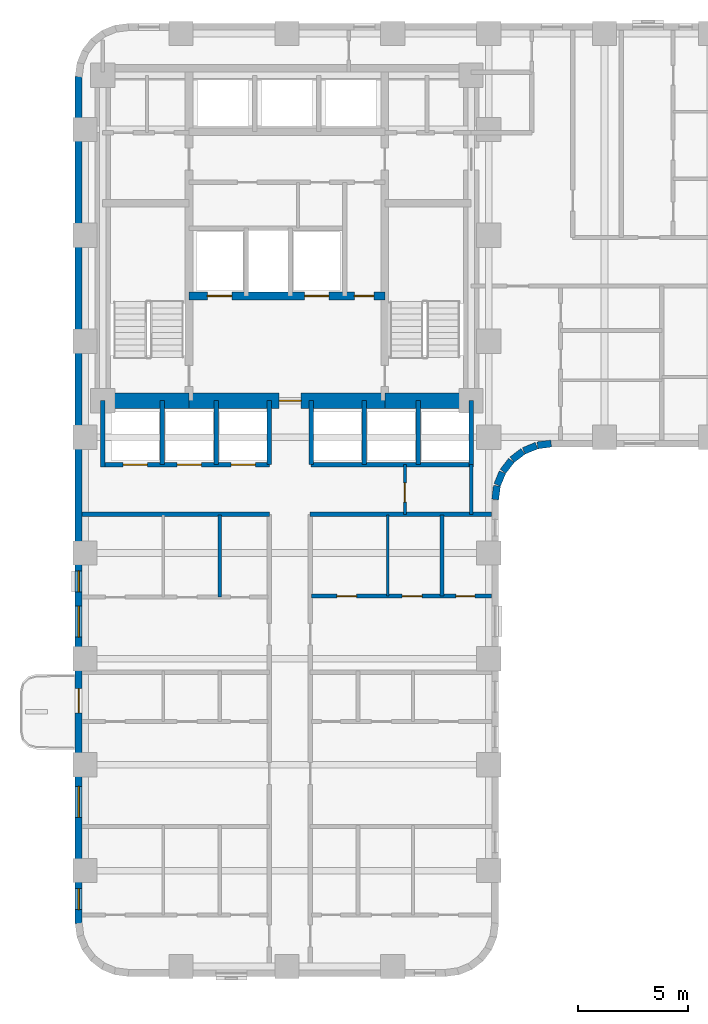
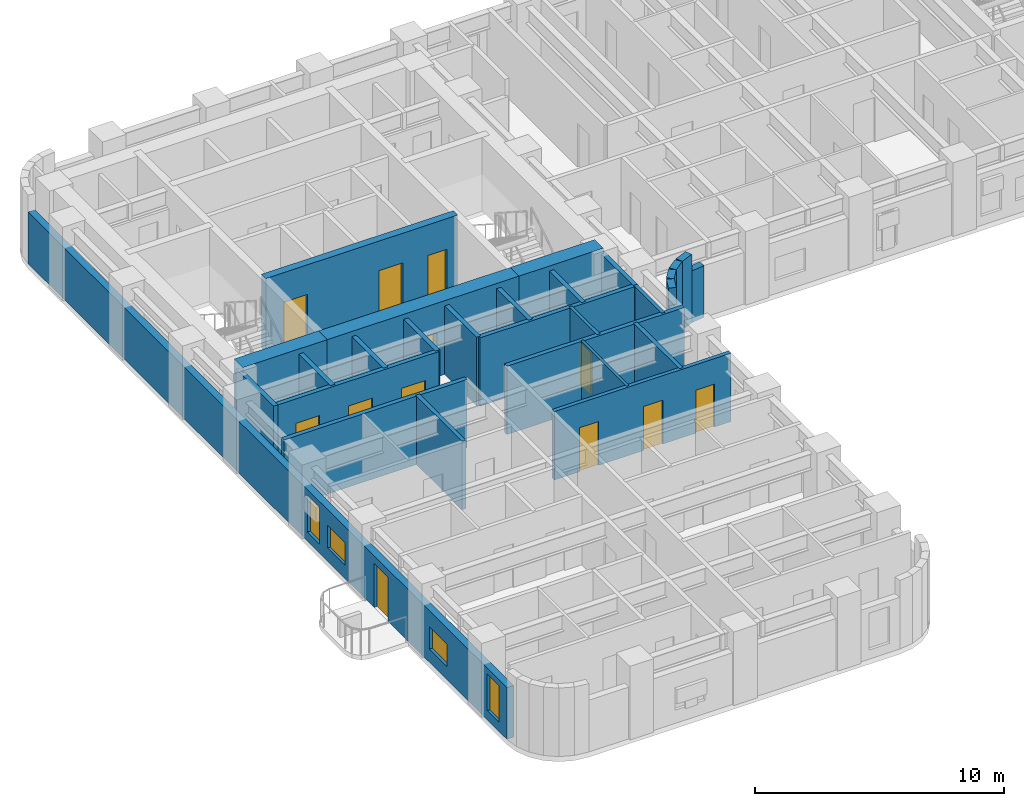
# One storey, part 4 of 10: 29 walls, 12 doors, 4 windows, 16 openings.
"""IFC4 building model written with IfcOpenShell, lengths in metres."""

from ifc_helpers import new_model, si_unit, direction, frame, frame_2d, origin, place, context, subcontext, project, spatial, rectangle, extrude, material, layer, layer_set, type_object, element, fill, save


model = new_model("IFC4")

# Units and contexts
model_context = context("Model", 3, precision=1e-05, world=origin(), true_north=direction((0.0, 1.0)))
body_context = subcontext(model_context, "Body", "Model", "MODEL_VIEW")
ifc_project = project(units=[si_unit("LENGTHUNIT", "METRE"), si_unit("AREAUNIT", "SQUARE_METRE"), si_unit("VOLUMEUNIT", "CUBIC_METRE"), si_unit("PLANEANGLEUNIT", "RADIAN"), si_unit("MASSUNIT", "GRAM", prefix="KILO")], contexts=[model_context])

# Site, building, storey
site_placement = place(None, origin())
site = spatial("IfcSite", under=ifc_project, at=site_placement, CompositionType="ELEMENT")
building_placement = place(site_placement, origin())
building = spatial("IfcBuilding", under=site, at=building_placement, Name="Orvandelia Arch Residences", CompositionType="ELEMENT")
storey_placement = place(building_placement, frame((0.0, 0.0, 32.199951171875)))
storey = spatial("IfcBuildingStorey", under=building, at=storey_placement, Name="L07", CompositionType="ELEMENT", Elevation=32.199951171875)

# Wall, openings, doors
ifc_material_1 = material(Name="Concrete C50/60", Category="concrete")
ifc_layer_1 = layer(ifc_material_1, 0.35009765625, Name="Concrete C50/60", Category="concrete")
ifc_layer_set_1 = layer_set([ifc_layer_1], Name="Concrete C50/60")
wall_type_1 = type_object("IfcWallType", Name="WL-CORE-350", PredefinedType="SHEAR", material=ifc_layer_set_1)
wall_1_placement = place(storey_placement, frame((9.9599609375, 35.64990234375, 0.0), z_axis=(0.0, 0.0, 1.0), x_axis=(1.0, 0.0, 0.0)))
wall_1 = element("IfcWall", 1, at=wall_1_placement, inside=storey, type_object=wall_type_1, Name="Core Shear Wall L07-HZ3", PredefinedType="SHEAR", context=body_context, shape_type="SweptSolid", body=[
    extrude(rectangle(XDim=8.880126953125, YDim=0.35009765625, at=frame_2d((4.43994140625, 0.0))), origin(), (0.0, 0.0, 1.0), 3.60009765625),
])
opening_1_placement = place(wall_1_placement, frame((0.840087890625, 0.0, 0.0)))
opening_1 = element("IfcOpeningElement", 2, at=opening_1_placement, cuts=wall_1, Name="Opening FLD", PredefinedType="OPENING", context=body_context, shape_type="SweptSolid", body=[
    extrude(rectangle(XDim=1.10009765625, YDim=2.14990234375, at=frame_2d((0.550048828125, 1.074951171875))), frame((0.0, 0.18505859375, 0.0), z_axis=(0.0, -1.0, 0.0), x_axis=(1.0, 0.0, 0.0)), (0.0, 0.0, 1.0), 0.3701171875),
])
opening_2_placement = place(wall_1_placement, frame((5.239990234375, 0.0, 0.0)))
opening_2 = element("IfcOpeningElement", 3, at=opening_2_placement, cuts=wall_1, Name="Opening FLD", PredefinedType="OPENING", context=body_context, shape_type="SweptSolid", body=[
    extrude(rectangle(XDim=1.10009765625, YDim=2.14990234375, at=frame_2d((0.550048828125, 1.074951171875))), frame((0.0, 0.18505859375, 0.0), z_axis=(0.0, -1.0, 0.0), x_axis=(1.0, 0.0, 0.0)), (0.0, 0.0, 1.0), 0.3701171875),
])
opening_3_placement = place(wall_1_placement, frame((7.5, 0.0, 0.0)))
opening_3 = element("IfcOpeningElement", 4, at=opening_3_placement, cuts=wall_1, Name="Opening D5", PredefinedType="OPENING", context=body_context, shape_type="SweptSolid", body=[
    extrude(rectangle(XDim=0.8798828125, YDim=2.10009765625, at=frame_2d((0.43994140625, 1.050048828125))), frame((0.0, 0.18505859375, 0.0), z_axis=(0.0, -1.0, 0.0), x_axis=(1.0, 0.0, 0.0)), (0.0, 0.0, 1.0), 0.3701171875),
])
ifc_material_2 = material(Name="Firefighting Lift Stainless Sliding Door")
door_type_1 = type_object("IfcDoorType", Name="DR-FLFT-1100", OperationType="NOTDEFINED", PredefinedType="DOOR", material=ifc_material_2)
door_1_placement = place(opening_1_placement, origin())
door_1 = element("IfcDoor", 5, at=door_1_placement, inside=storey, type_object=door_type_1, Name="Firefighting Lift Landing Door FLD-FL1-L07", OperationType="SLIDING_TO_LEFT", OverallHeight=2.14990234375, OverallWidth=1.10009765625, PredefinedType="DOOR", context=body_context, shape_type="SweptSolid", body=[
    extrude(rectangle(XDim=1.10009765625, YDim=2.14990234375, at=frame_2d((0.550048828125, 1.074951171875))), frame((0.0, 0.02490234375, 0.0), z_axis=(0.0, -1.0, 0.0), x_axis=(1.0, 0.0, 0.0)), (0.0, 0.0, 1.0), 0.050048828125),
])
fill(opening_1, door_1)
door_2_placement = place(opening_2_placement, origin())
door_2 = element("IfcDoor", 6, at=door_2_placement, inside=storey, type_object=door_type_1, Name="Firefighting Lift Landing Door FLD-FL2-L07", OperationType="SLIDING_TO_RIGHT", OverallHeight=2.14990234375, OverallWidth=1.10009765625, PredefinedType="DOOR", context=body_context, shape_type="SweptSolid", body=[
    extrude(rectangle(XDim=1.10009765625, YDim=2.14990234375, at=frame_2d((0.550048828125, 1.074951171875))), frame((0.0, 0.02490234375, 0.0), z_axis=(0.0, -1.0, 0.0), x_axis=(1.0, 0.0, 0.0)), (0.0, 0.0, 1.0), 0.050048828125),
])
fill(opening_2, door_2)
ifc_material_3 = material(Name="Painted Galvanised Steel Service Door", Category="steel")
door_type_2 = type_object("IfcDoorType", Name="DR-SRV-880", OperationType="NOTDEFINED", PredefinedType="DOOR", material=ifc_material_3)
door_3_placement = place(opening_3_placement, origin())
door_3 = element("IfcDoor", 7, at=door_3_placement, inside=storey, type_object=door_type_2, Name="Core Stairway Passage South Fire Door L07", OperationType="SINGLE_SWING_LEFT", OverallHeight=2.10009765625, OverallWidth=0.8798828125, PredefinedType="DOOR", context=body_context, shape_type="SweptSolid", body=[
    extrude(rectangle(XDim=0.8798828125, YDim=2.10009765625, at=frame_2d((0.43994140625, 1.050048828125))), frame((0.0, 0.02490234375, 0.0), z_axis=(0.0, -1.0, 0.0), x_axis=(1.0, 0.0, 0.0)), (0.0, 0.0, 1.0), 0.050048828125),
])
fill(opening_3, door_3)

# Wall
ifc_material_4 = material(Name="Concrete C80/95", Category="concrete")
ifc_layer_2 = layer(ifc_material_4, 0.699951171875, Name="Concrete C80/95", Category="concrete")
ifc_layer_set_2 = layer_set([ifc_layer_2], Name="Concrete C80/95")
wall_type_2 = type_object("IfcWallType", Name="WL-CORE-700", PredefinedType="SHEAR", material=ifc_layer_set_2)
wall_2_placement = place(storey_placement, frame((6.050048828125, 30.89990234375, 0.0), z_axis=(0.0, 0.0, 1.0), x_axis=(1.0, 0.0, 0.0)))
element("IfcWall", 8, at=wall_2_placement, inside=storey, type_object=wall_type_2, Name="Core Shear Wall L07-SW", PredefinedType="SHEAR", context=body_context, shape_type="SweptSolid", body=[
    extrude(rectangle(XDim=3.909912109375, YDim=0.699951171875, at=frame_2d((1.955078125, 0.0))), origin(), (0.0, 0.0, 1.0), 3.60009765625),
])

# Wall, opening, door
wall_3_placement = place(storey_placement, frame((9.9599609375, 30.89990234375, 0.0), z_axis=(0.0, 0.0, 1.0), x_axis=(1.0, 0.0, 0.0)))
wall_3 = element("IfcWall", 9, at=wall_3_placement, inside=storey, type_object=wall_type_2, Name="Core Shear Wall L07-SM", PredefinedType="SHEAR", context=body_context, shape_type="SweptSolid", body=[
    extrude(rectangle(XDim=8.880126953125, YDim=0.699951171875, at=frame_2d((4.43994140625, 0.0))), origin(), (0.0, 0.0, 1.0), 3.60009765625),
])
opening_4_placement = place(wall_3_placement, frame((4.090087890625, 0.0, 0.0)))
opening_4 = element("IfcOpeningElement", 10, at=opening_4_placement, cuts=wall_3, Name="Opening D6", PredefinedType="OPENING", context=body_context, shape_type="SweptSolid", body=[
    extrude(rectangle(XDim=1.0, YDim=2.14990234375, at=frame_2d((0.5, 1.074951171875))), frame((0.0, 0.35986328125, 0.0), z_axis=(0.0, -1.0, 0.0), x_axis=(1.0, 0.0, 0.0)), (0.0, 0.0, 1.0), 0.719970703125),
])
ifc_material_5 = material(Name="Smokeproof Painted Steel Fire Door", Category="steel")
door_type_3 = type_object("IfcDoorType", Name="DR-FD60-1000", OperationType="NOTDEFINED", PredefinedType="DOOR", material=ifc_material_5)
door_4_placement = place(opening_4_placement, origin())
door_4 = element("IfcDoor", 11, at=door_4_placement, inside=storey, type_object=door_type_3, Name="Firefighting Lobby Smokeproof Door L07", OperationType="SINGLE_SWING_LEFT", OverallHeight=2.14990234375, OverallWidth=1.0, PredefinedType="DOOR", context=body_context, shape_type="SweptSolid", body=[
    extrude(rectangle(XDim=1.0, YDim=2.14990234375, at=frame_2d((0.5, 1.074951171875))), frame((0.0, 0.02490234375, 0.0), z_axis=(0.0, -1.0, 0.0), x_axis=(1.0, 0.0, 0.0)), (0.0, 0.0, 1.0), 0.050048828125),
])
fill(opening_4, door_4)

# Walls
wall_4_placement = place(storey_placement, frame((18.840087890625, 30.89990234375, 0.0), z_axis=(0.0, 0.0, 1.0), x_axis=(1.0, 0.0, 0.0)))
element("IfcWall", 12, at=wall_4_placement, inside=storey, type_object=wall_type_2, Name="Core Shear Wall L07-SE", PredefinedType="SHEAR", context=body_context, shape_type="SweptSolid", body=[
    extrude(rectangle(XDim=3.909912109375, YDim=0.699951171875, at=frame_2d((1.955078125, 0.0))), origin(), (0.0, 0.0, 1.0), 3.60009765625),
])
ifc_material_6 = material(Name="Fire-Rated Corridor Partition")
ifc_layer_3 = layer(ifc_material_6, 0.199951171875, Name="Fire-Rated Corridor Partition")
ifc_layer_set_3 = layer_set([ifc_layer_3], Name="Fire-Rated Corridor Partition")
wall_type_3 = type_object("IfcWallType", Name="WL-CORR-200", PredefinedType="PARTITIONING", material=ifc_layer_set_3)
wall_5_placement = place(storey_placement, frame((5.1201171875, 25.75, 0.0), z_axis=(0.0, 0.0, 1.0), x_axis=(1.0, 0.0, 0.0)))
element("IfcWall", 13, at=wall_5_placement, inside=storey, type_object=wall_type_3, Name="Interior Partition Wall WL-L07-WCLS-W", PredefinedType="PARTITIONING", context=body_context, shape_type="SweptSolid", body=[
    extrude(rectangle(XDim=8.47998046875, YDim=0.199951171875, at=frame_2d((4.239990234375, 0.0))), origin(), (0.0, 0.0, 1.0), 3.35009765625),
])
wall_6_placement = place(storey_placement, frame((15.449951171875, 25.75, 0.0), z_axis=(0.0, 0.0, 1.0), x_axis=(1.0, 0.0, 0.0)))
element("IfcWall", 14, at=wall_6_placement, inside=storey, type_object=wall_type_3, Name="Interior Partition Wall WL-L07-WCLS-E", PredefinedType="PARTITIONING", context=body_context, shape_type="SweptSolid", body=[
    extrude(rectangle(XDim=8.22998046875, YDim=0.199951171875, at=frame_2d((4.114990234375, 0.0))), origin(), (0.0, 0.0, 1.0), 3.35009765625),
])
ifc_material_7 = material(Name="Precast concrete C40/50", Category="concrete")
ifc_layer_4 = layer(ifc_material_7, 0.320068359375, Name="Precast concrete C40/50", Category="concrete")
ifc_layer_set_4 = layer_set([ifc_layer_4], Name="Precast concrete C40/50")
wall_type_4 = type_object("IfcWallType", Name="WL-EXT-STONE-320", PredefinedType="STANDARD", material=ifc_layer_set_4)
wall_7_placement = place(storey_placement, frame((26.379150390625, 28.95849609375, 0.0), z_axis=(0.0, 0.0, 1.0), x_axis=(-0.991447664465, -0.130504898859, 0.0)))
element("IfcWall", 15, at=wall_7_placement, inside=storey, type_object=wall_type_4, Name="Coral-Limestone Precast Facade Wall L07-022", PredefinedType="STANDARD", context=body_context, shape_type="SweptSolid", body=[
    extrude(rectangle(XDim=0.626708984375, YDim=0.320068359375, at=frame_2d((0.3134765625, 0.0))), origin(), (0.0, 0.0, 1.0), 2.530029296875),
])
wall_8_placement = place(storey_placement, frame((25.717529296875, 28.865966796875, 0.0), z_axis=(0.0, 0.0, 1.0), x_axis=(-0.923836271867, -0.382787856107, 0.0)))
element("IfcWall", 16, at=wall_8_placement, inside=storey, type_object=wall_type_4, Name="Coral-Limestone Precast Facade Wall L07-023", PredefinedType="STANDARD", context=body_context, shape_type="SweptSolid", body=[
    extrude(rectangle(XDim=0.626220703125, YDim=0.320068359375, at=frame_2d((0.31298828125, 0.0))), origin(), (0.0, 0.0, 1.0), 3.35009765625),
])
for number, where, z_axis, x_axis, name in (
    (17, (25.1025390625, 28.60546875, 0.0), (0.0, 0.0, 1.0), (-0.793405610854, -0.608693302629, 0.0), "Coral-Limestone Precast Facade Wall L07-024"),
    (18, (24.575927734375, 28.194580078125, 0.0), (0.0, 0.0, 1.0), (-0.608693302629, -0.793405610854, 0.0), "Coral-Limestone Precast Facade Wall L07-025"),
):
    element("IfcWall", number, at=place(storey_placement, frame(where, z_axis=z_axis, x_axis=x_axis)), inside=storey, type_object=wall_type_4, Name=name, PredefinedType="STANDARD", context=body_context, shape_type="SweptSolid", body=[
        extrude(rectangle(XDim=0.62646484375, YDim=0.320068359375, at=frame_2d((0.313232421875, 0.0))), origin(), (0.0, 0.0, 1.0), 3.35009765625),
    ])
wall_9_placement = place(storey_placement, frame((24.173583984375, 27.6611328125, 0.0), z_axis=(0.0, 0.0, 1.0), x_axis=(-0.382455093999, -0.923974080304, 0.0)))
element("IfcWall", 19, at=wall_9_placement, inside=storey, type_object=wall_type_4, Name="Coral-Limestone Precast Facade Wall L07-026", PredefinedType="STANDARD", context=body_context, shape_type="SweptSolid", body=[
    extrude(rectangle(XDim=0.626220703125, YDim=0.320068359375, at=frame_2d((0.31298828125, 0.0))), origin(), (0.0, 0.0, 1.0), 3.35009765625),
])
wall_10_placement = place(storey_placement, frame((23.923095703125, 27.0419921875, 0.0), z_axis=(0.0, 0.0, 1.0), x_axis=(-0.130555323746, -0.9914410257, 0.0)))
element("IfcWall", 20, at=wall_10_placement, inside=storey, type_object=wall_type_4, Name="Coral-Limestone Precast Facade Wall L07-027", PredefinedType="STANDARD", context=body_context, shape_type="SweptSolid", body=[
    extrude(rectangle(XDim=0.62646484375, YDim=0.320068359375, at=frame_2d((0.313232421875, 0.0))), origin(), (0.0, 0.0, 1.0), 2.530029296875),
])

# Wall, openings, door, windows
wall_11_placement = place(storey_placement, frame((4.9599609375, 7.199951171875, 0.0), z_axis=(0.0, 0.0, 1.0), x_axis=(0.0, 1.0, 0.0)))
wall_11 = element("IfcWall", 21, at=wall_11_placement, inside=storey, type_object=wall_type_4, Name="Coral-Limestone Precast Facade Wall L07-042", PredefinedType="STANDARD", context=body_context, shape_type="SweptSolid", body=[
    extrude(rectangle(XDim=38.400146484375, YDim=0.320068359375, at=frame_2d((19.2001953125, 0.0))), origin(), (0.0, 0.0, 1.0), 2.530029296875),
])
opening_5_placement = place(wall_11_placement, frame((9.550048828125, 0.0, 0.0)))
opening_5 = element("IfcOpeningElement", 22, at=opening_5_placement, cuts=wall_11, Name="Opening BD1", PredefinedType="OPENING", context=body_context, shape_type="SweptSolid", body=[
    extrude(rectangle(XDim=1.10009765625, YDim=2.14990234375, at=frame_2d((0.550048828125, 1.074951171875))), frame((0.0, 0.169921875, 0.0), z_axis=(0.0, -1.0, 0.0), x_axis=(1.0, 0.0, 0.0)), (0.0, 0.0, 1.0), 0.340087890625),
])
opening_6_placement = place(wall_11_placement, frame((0.635009765625, 0.0, 0.449951171875)))
opening_6 = element("IfcOpeningElement", 23, at=opening_6_placement, cuts=wall_11, Name="Opening W4", PredefinedType="OPENING", context=body_context, shape_type="SweptSolid", body=[
    extrude(rectangle(XDim=0.949951171875, YDim=1.800048828125, at=frame_2d((0.47509765625, 0.89990234375))), frame((0.0, 0.169921875, 0.0), z_axis=(0.0, -1.0, 0.0), x_axis=(1.0, 0.0, 0.0)), (0.0, 0.0, 1.0), 0.340087890625),
])
opening_7_placement = place(wall_11_placement, frame((15.0400390625, 0.0, 0.449951171875)))
opening_7 = element("IfcOpeningElement", 24, at=opening_7_placement, cuts=wall_11, Name="Opening W4", PredefinedType="OPENING", context=body_context, shape_type="SweptSolid", body=[
    extrude(rectangle(XDim=0.949951171875, YDim=1.800048828125, at=frame_2d((0.47509765625, 0.89990234375))), frame((0.0, 0.169921875, 0.0), z_axis=(0.0, -1.0, 0.0), x_axis=(1.0, 0.0, 0.0)), (0.0, 0.0, 1.0), 0.340087890625),
])
opening_8_placement = place(wall_11_placement, frame((4.81494140625, 0.0, 0.64990234375)))
opening_8 = element("IfcOpeningElement", 25, at=opening_8_placement, cuts=wall_11, Name="Opening W10", PredefinedType="OPENING", context=body_context, shape_type="SweptSolid", body=[
    extrude(rectangle(XDim=1.39990234375, YDim=1.10009765625, at=frame_2d((0.699951171875, 0.550048828125))), frame((0.0, 0.169921875, 0.0), z_axis=(0.0, -1.0, 0.0), x_axis=(1.0, 0.0, 0.0)), (0.0, 0.0, 1.0), 0.340087890625),
])
opening_9_placement = place(wall_11_placement, frame((12.985107421875, 0.0, 0.64990234375)))
opening_9 = element("IfcOpeningElement", 26, at=opening_9_placement, cuts=wall_11, Name="Opening W10", PredefinedType="OPENING", context=body_context, shape_type="SweptSolid", body=[
    extrude(rectangle(XDim=1.39990234375, YDim=1.10009765625, at=frame_2d((0.699951171875, 0.550048828125))), frame((0.0, 0.169921875, 0.0), z_axis=(0.0, -1.0, 0.0), x_axis=(1.0, 0.0, 0.0)), (0.0, 0.0, 1.0), 0.340087890625),
])
ifc_material_8 = material(Name="Thermally Broken Aluminium Glazed Door", Category="aluminium")
door_type_4 = type_object("IfcDoorType", Name="DR-BAL-GLAZ-1100", OperationType="NOTDEFINED", PredefinedType="DOOR", material=ifc_material_8)
door_5_placement = place(opening_5_placement, origin())
door_5 = element("IfcDoor", 27, at=door_5_placement, inside=storey, type_object=door_type_4, Name="Tree Balcony Glazed Door BAL-L07-W1", OperationType="SINGLE_SWING_RIGHT", OverallHeight=2.14990234375, OverallWidth=1.10009765625, PredefinedType="DOOR", context=body_context, shape_type="SweptSolid", body=[
    extrude(rectangle(XDim=1.10009765625, YDim=2.14990234375, at=frame_2d((0.550048828125, 1.074951171875))), frame((0.0, 0.02490234375, 0.0), z_axis=(0.0, -1.0, 0.0), x_axis=(1.0, 0.0, 0.0)), (0.0, 0.0, 1.0), 0.050048828125),
])
fill(opening_5, door_5)
ifc_material_9 = material(Name="Tempered Low-E Insulated Glazing", Category="glass")
window_type_1 = type_object("IfcWindowType", Name="WIN-CLR-1400x1100", PartitioningType="SINGLE_PANEL", PredefinedType="WINDOW", material=ifc_material_9)
window_1_placement = place(opening_8_placement, origin())
window_1 = element("IfcWindow", 28, at=window_1_placement, inside=storey, type_object=window_type_1, Name="Recessed Punched Window L07-031", OverallHeight=1.10009765625, OverallWidth=1.39990234375, PartitioningType="SINGLE_PANEL", PredefinedType="WINDOW", context=body_context, shape_type="SweptSolid", body=[
    extrude(rectangle(XDim=1.39990234375, YDim=1.10009765625, at=frame_2d((0.699951171875, 0.550048828125))), frame((0.0, 0.030029296875, 0.0), z_axis=(0.0, -1.0, 0.0), x_axis=(1.0, 0.0, 0.0)), (0.0, 0.0, 1.0), 0.06005859375),
])
fill(opening_8, window_1)
window_2_placement = place(opening_9_placement, origin())
window_2 = element("IfcWindow", 29, at=window_2_placement, inside=storey, type_object=window_type_1, Name="Recessed Punched Window L07-032", OverallHeight=1.10009765625, OverallWidth=1.39990234375, PartitioningType="SINGLE_PANEL", PredefinedType="WINDOW", context=body_context, shape_type="SweptSolid", body=[
    extrude(rectangle(XDim=1.39990234375, YDim=1.10009765625, at=frame_2d((0.699951171875, 0.550048828125))), frame((0.0, 0.030029296875, 0.0), z_axis=(0.0, -1.0, 0.0), x_axis=(1.0, 0.0, 0.0)), (0.0, 0.0, 1.0), 0.06005859375),
])
fill(opening_9, window_2)
window_type_2 = type_object("IfcWindowType", Name="WIN-RES-0950x1800", PartitioningType="SINGLE_PANEL", PredefinedType="WINDOW", material=ifc_material_9)
window_3_placement = place(opening_6_placement, origin())
window_3 = element("IfcWindow", 30, at=window_3_placement, inside=storey, type_object=window_type_2, Name="Recessed Punched Window L07-029", OverallHeight=1.800048828125, OverallWidth=0.949951171875, PartitioningType="SINGLE_PANEL", PredefinedType="WINDOW", context=body_context, shape_type="SweptSolid", body=[
    extrude(rectangle(XDim=0.949951171875, YDim=1.800048828125, at=frame_2d((0.47509765625, 0.89990234375))), frame((0.0, 0.030029296875, 0.0), z_axis=(0.0, -1.0, 0.0), x_axis=(1.0, 0.0, 0.0)), (0.0, 0.0, 1.0), 0.06005859375),
])
fill(opening_6, window_3)
window_4_placement = place(opening_7_placement, origin())
window_4 = element("IfcWindow", 31, at=window_4_placement, inside=storey, type_object=window_type_2, Name="Recessed Punched Window L07-030", OverallHeight=1.800048828125, OverallWidth=0.949951171875, PartitioningType="SINGLE_PANEL", PredefinedType="WINDOW", context=body_context, shape_type="SweptSolid", body=[
    extrude(rectangle(XDim=0.949951171875, YDim=1.800048828125, at=frame_2d((0.47509765625, 0.89990234375))), frame((0.0, 0.030029296875, 0.0), z_axis=(0.0, -1.0, 0.0), x_axis=(1.0, 0.0, 0.0)), (0.0, 0.0, 1.0), 0.06005859375),
])
fill(opening_7, window_4)

# Wall
ifc_material_10 = material(Name="Lightweight Gypsum Stud Partition")
ifc_layer_5 = layer(ifc_material_10, 0.1201171875, Name="Lightweight Gypsum Stud Partition")
ifc_layer_set_5 = layer_set([ifc_layer_5], Name="Lightweight Gypsum Stud Partition")
wall_type_5 = type_object("IfcWallType", Name="WL-PART-120", PredefinedType="PARTITIONING", material=ifc_layer_set_5)
wall_12_placement = place(storey_placement, frame((18.967041015625, 22.0400390625, 0.0), z_axis=(0.0, 0.0, 1.0), x_axis=(0.0, 1.0, 0.0)))
element("IfcWall", 32, at=wall_12_placement, inside=storey, type_object=wall_type_5, Name="Interior Partition Wall WL-L07-U06-V1", PredefinedType="PARTITIONING", context=body_context, shape_type="SweptSolid", body=[
    extrude(rectangle(XDim=3.679931640625, YDim=0.1201171875, at=frame_2d((1.83984375, 0.0))), origin(), (0.0, 0.0, 1.0), 3.35009765625),
])

# Wall, opening, door
ifc_material_11 = material(Name="Acoustic Gypsum Stud Partition")
ifc_layer_6 = layer(ifc_material_11, 0.14990234375, Name="Acoustic Gypsum Stud Partition")
ifc_layer_set_6 = layer_set([ifc_layer_6], Name="Acoustic Gypsum Stud Partition")
wall_type_6 = type_object("IfcWallType", Name="WL-PART-150", PredefinedType="PARTITIONING", material=ifc_layer_set_6)
wall_13_placement = place(storey_placement, frame((19.75, 25.75, 0.0), z_axis=(0.0, 0.0, 1.0), x_axis=(0.0, 1.0, 0.0)))
wall_13 = element("IfcWall", 33, at=wall_13_placement, inside=storey, type_object=wall_type_6, Name="Interior Partition Wall WL-L07-HLS-EW3", PredefinedType="PARTITIONING", context=body_context, shape_type="SweptSolid", body=[
    extrude(rectangle(XDim=2.25, YDim=0.14990234375, at=frame_2d((1.125, 0.0))), origin(), (0.0, 0.0, 1.0), 3.35009765625),
])
opening_10_placement = place(wall_13_placement, frame((0.550048828125, 0.0, 0.0)))
opening_10 = element("IfcOpeningElement", 34, at=opening_10_placement, cuts=wall_13, Name="Opening D5", PredefinedType="OPENING", context=body_context, shape_type="SweptSolid", body=[
    extrude(rectangle(XDim=0.8798828125, YDim=2.10009765625, at=frame_2d((0.43994140625, 1.050048828125))), frame((0.0, 0.0849609375, 0.0), z_axis=(0.0, -1.0, 0.0), x_axis=(1.0, 0.0, 0.0)), (0.0, 0.0, 1.0), 0.169921875),
])
door_6_placement = place(opening_10_placement, origin())
door_6 = element("IfcDoor", 35, at=door_6_placement, inside=storey, type_object=door_type_2, Name="DR-L07-CSZ1A", OperationType="SINGLE_SWING_RIGHT", OverallHeight=2.10009765625, OverallWidth=0.8798828125, PredefinedType="DOOR", context=body_context, shape_type="SweptSolid", body=[
    extrude(rectangle(XDim=0.8798828125, YDim=2.10009765625, at=frame_2d((0.43994140625, 1.050048828125))), frame((0.0, 0.02490234375, 0.0), z_axis=(0.0, -1.0, 0.0), x_axis=(1.0, 0.0, 0.0)), (0.0, 0.0, 1.0), 0.050048828125),
])
fill(opening_10, door_6)

# Wall
wall_14_placement = place(storey_placement, frame((22.75, 25.75, 0.0), z_axis=(0.0, 0.0, 1.0), x_axis=(0.0, 1.0, 0.0)))
element("IfcWall", 36, at=wall_14_placement, inside=storey, type_object=wall_type_6, Name="Interior Partition Wall WL-L07-HLS-EE", PredefinedType="PARTITIONING", context=body_context, shape_type="SweptSolid", body=[
    extrude(rectangle(XDim=2.25, YDim=0.14990234375, at=frame_2d((1.125, 0.0))), origin(), (0.0, 0.0, 1.0), 3.35009765625),
])

# Wall, openings, doors
ifc_material_12 = material(Name="Fire-Rated Shaft Enclosure Wall")
ifc_layer_7 = layer(ifc_material_12, 0.199951171875, Name="Fire-Rated Shaft Enclosure Wall")
ifc_layer_set_7 = layer_set([ifc_layer_7], Name="Fire-Rated Shaft Enclosure Wall")
wall_type_7 = type_object("IfcWallType", Name="WL-SHAFT-200", PredefinedType="POLYGONAL", material=ifc_layer_set_7)
wall_15_placement = place(storey_placement, frame((6.050048828125, 28.0, 0.0), z_axis=(0.0, 0.0, 1.0), x_axis=(1.0, 0.0, 0.0)))
wall_15 = element("IfcWall", 37, at=wall_15_placement, inside=storey, type_object=wall_type_7, Name="Interior Partition Wall WL-L07-BNKL-S", PredefinedType="POLYGONAL", context=body_context, shape_type="SweptSolid", body=[
    extrude(rectangle(XDim=7.550048828125, YDim=0.199951171875, at=frame_2d((3.77490234375, 0.0))), origin(), (0.0, 0.0, 1.0), 3.35009765625),
])
opening_11_placement = place(wall_15_placement, frame((0.925048828125, 0.0, 0.0)))
opening_11 = element("IfcOpeningElement", 38, at=opening_11_placement, cuts=wall_15, Name="Opening LD", PredefinedType="OPENING", context=body_context, shape_type="SweptSolid", body=[
    extrude(rectangle(XDim=1.10009765625, YDim=2.14990234375, at=frame_2d((0.550048828125, 1.074951171875))), frame((0.0, 0.10986328125, 0.0), z_axis=(0.0, -1.0, 0.0), x_axis=(1.0, 0.0, 0.0)), (0.0, 0.0, 1.0), 0.219970703125),
])
opening_12_placement = place(wall_15_placement, frame((3.375, 0.0, 0.0)))
opening_12 = element("IfcOpeningElement", 39, at=opening_12_placement, cuts=wall_15, Name="Opening LD", PredefinedType="OPENING", context=body_context, shape_type="SweptSolid", body=[
    extrude(rectangle(XDim=1.10009765625, YDim=2.14990234375, at=frame_2d((0.550048828125, 1.074951171875))), frame((0.0, 0.10986328125, 0.0), z_axis=(0.0, -1.0, 0.0), x_axis=(1.0, 0.0, 0.0)), (0.0, 0.0, 1.0), 0.219970703125),
])
opening_13_placement = place(wall_15_placement, frame((5.824951171875, 0.0, 0.0)))
opening_13 = element("IfcOpeningElement", 40, at=opening_13_placement, cuts=wall_15, Name="Opening LD", PredefinedType="OPENING", context=body_context, shape_type="SweptSolid", body=[
    extrude(rectangle(XDim=1.10009765625, YDim=2.14990234375, at=frame_2d((0.550048828125, 1.074951171875))), frame((0.0, 0.10986328125, 0.0), z_axis=(0.0, -1.0, 0.0), x_axis=(1.0, 0.0, 0.0)), (0.0, 0.0, 1.0), 0.219970703125),
])
ifc_material_13 = material(Name="Brushed Stainless Steel Sliding Lift Door", Category="steel")
door_type_5 = type_object("IfcDoorType", Name="DR-LIFT-1100", OperationType="NOTDEFINED", PredefinedType="DOOR", material=ifc_material_13)
door_7_placement = place(opening_11_placement, origin())
door_7 = element("IfcDoor", 41, at=door_7_placement, inside=storey, type_object=door_type_5, Name="Lift Landing Door LD-PL1", OperationType="SLIDING_TO_LEFT", OverallHeight=2.14990234375, OverallWidth=1.10009765625, PredefinedType="DOOR", context=body_context, shape_type="SweptSolid", body=[
    extrude(rectangle(XDim=1.10009765625, YDim=2.14990234375, at=frame_2d((0.550048828125, 1.074951171875))), frame((0.0, 0.02490234375, 0.0), z_axis=(0.0, -1.0, 0.0), x_axis=(1.0, 0.0, 0.0)), (0.0, 0.0, 1.0), 0.050048828125),
])
fill(opening_11, door_7)
door_8_placement = place(opening_12_placement, origin())
door_8 = element("IfcDoor", 42, at=door_8_placement, inside=storey, type_object=door_type_5, Name="Lift Landing Door LD-PL2", OperationType="SLIDING_TO_RIGHT", OverallHeight=2.14990234375, OverallWidth=1.10009765625, PredefinedType="DOOR", context=body_context, shape_type="SweptSolid", body=[
    extrude(rectangle(XDim=1.10009765625, YDim=2.14990234375, at=frame_2d((0.550048828125, 1.074951171875))), frame((0.0, 0.02490234375, 0.0), z_axis=(0.0, -1.0, 0.0), x_axis=(1.0, 0.0, 0.0)), (0.0, 0.0, 1.0), 0.050048828125),
])
fill(opening_12, door_8)
door_9_placement = place(opening_13_placement, origin())
door_9 = element("IfcDoor", 43, at=door_9_placement, inside=storey, type_object=door_type_5, Name="Lift Landing Door LD-PL3", OperationType="SLIDING_TO_LEFT", OverallHeight=2.14990234375, OverallWidth=1.10009765625, PredefinedType="DOOR", context=body_context, shape_type="SweptSolid", body=[
    extrude(rectangle(XDim=1.10009765625, YDim=2.14990234375, at=frame_2d((0.550048828125, 1.074951171875))), frame((0.0, 0.02490234375, 0.0), z_axis=(0.0, -1.0, 0.0), x_axis=(1.0, 0.0, 0.0)), (0.0, 0.0, 1.0), 0.050048828125),
])
fill(opening_13, door_9)

# Walls
wall_16_placement = place(storey_placement, frame((15.5, 28.0, 0.0), z_axis=(0.0, 0.0, 1.0), x_axis=(1.0, 0.0, 0.0)))
element("IfcWall", 44, at=wall_16_placement, inside=storey, type_object=wall_type_7, Name="Interior Partition Wall WL-L07-BNKM-S", PredefinedType="POLYGONAL", context=body_context, shape_type="SweptSolid", body=[
    extrude(rectangle(XDim=7.25, YDim=0.199951171875, at=frame_2d((3.625, 0.0))), origin(), (0.0, 0.0, 1.0), 3.35009765625),
])
for number, where, z_axis, x_axis, name in (
    (45, (6.050048828125, 27.89990234375, 0.0), (0.0, 0.0, 1.0), (0.0, 1.0, 0.0), "Interior Partition Wall WL-L07-BNKL-W"),
    (46, (22.75, 27.89990234375, 0.0), (0.0, 0.0, 1.0), (0.0, 1.0, 0.0), "Interior Partition Wall WL-L07-BNKM-E"),
):
    element("IfcWall", number, at=place(storey_placement, frame(where, z_axis=z_axis, x_axis=x_axis)), inside=storey, type_object=wall_type_7, Name=name, PredefinedType="POLYGONAL", context=body_context, shape_type="SweptSolid", body=[
        extrude(rectangle(XDim=3.0, YDim=0.199951171875, at=frame_2d((1.5, 0.0))), origin(), (0.0, 0.0, 1.0), 3.35009765625),
    ])
for number, where, z_axis, x_axis, name in (
    (47, (13.60009765625, 28.0, 0.0), (0.0, 0.0, 1.0), (0.0, 1.0, 0.0), "Interior Partition Wall WL-L07-BNKL-E"),
    (48, (15.5, 28.0, 0.0), (0.0, 0.0, 1.0), (0.0, 1.0, 0.0), "Interior Partition Wall WL-L07-BNKM-W"),
    (49, (8.75, 28.0, 0.0), (0.0, 0.0, 1.0), (0.0, 1.0, 0.0), "Interior Partition Wall WL-L07-BNKD-875"),
    (50, (11.199951171875, 28.0, 0.0), (0.0, 0.0, 1.0), (0.0, 1.0, 0.0), "Interior Partition Wall WL-L07-BNKD-1120"),
    (51, (17.89990234375, 28.0, 0.0), (0.0, 0.0, 1.0), (0.0, 1.0, 0.0), "Interior Partition Wall WL-L07-BNKD-1789"),
    (52, (20.35009765625, 28.0, 0.0), (0.0, 0.0, 1.0), (0.0, 1.0, 0.0), "Interior Partition Wall WL-L07-BNKD-2035"),
):
    element("IfcWall", number, at=place(storey_placement, frame(where, z_axis=z_axis, x_axis=x_axis)), inside=storey, type_object=wall_type_7, Name=name, PredefinedType="POLYGONAL", context=body_context, shape_type="SweptSolid", body=[
        extrude(rectangle(XDim=2.89990234375, YDim=0.199951171875, at=frame_2d((1.449951171875, 0.0))), origin(), (0.0, 0.0, 1.0), 3.35009765625),
    ])
ifc_material_14 = material(Name="Moisture-Resistant Plumbing Wall")
ifc_layer_8 = layer(ifc_material_14, 0.179931640625, Name="Moisture-Resistant Plumbing Wall")
ifc_layer_set_8 = layer_set([ifc_layer_8], Name="Moisture-Resistant Plumbing Wall")
wall_type_8 = type_object("IfcWallType", Name="WL-WET-180", PredefinedType="PLUMBINGWALL", material=ifc_layer_set_8)
wall_17_placement = place(storey_placement, frame((11.35498046875, 22.0, 0.0), z_axis=(0.0, 0.0, 1.0), x_axis=(0.0, 1.0, 0.0)))
element("IfcWall", 53, at=wall_17_placement, inside=storey, type_object=wall_type_8, Name="Interior Partition Wall WL-L07-U03-V2", PredefinedType="PLUMBINGWALL", context=body_context, shape_type="SweptSolid", body=[
    extrude(rectangle(XDim=3.719970703125, YDim=0.179931640625, at=frame_2d((1.85986328125, 0.0))), origin(), (0.0, 0.0, 1.0), 3.35009765625),
])

# Wall, openings, doors
wall_18_placement = place(storey_placement, frame((15.510009765625, 22.0400390625, 0.0), z_axis=(0.0, 0.0, 1.0), x_axis=(1.0, 0.0, 0.0)))
wall_18 = element("IfcWall", 54, at=wall_18_placement, inside=storey, type_object=wall_type_8, Name="Interior Partition Wall WL-L07-U06-HZ", PredefinedType="PLUMBINGWALL", context=body_context, shape_type="SweptSolid", body=[
    extrude(rectangle(XDim=8.169921875, YDim=0.179931640625, at=frame_2d((4.0849609375, 0.0))), origin(), (0.0, 0.0, 1.0), 3.35009765625),
])
opening_14_placement = place(wall_18_placement, frame((1.153564453125, 0.0, 0.0)))
opening_14 = element("IfcOpeningElement", 55, at=opening_14_placement, cuts=wall_18, Name="Opening D3", PredefinedType="OPENING", context=body_context, shape_type="SweptSolid", body=[
    extrude(rectangle(XDim=0.89990234375, YDim=2.14990234375, at=frame_2d((0.449951171875, 1.074951171875))), frame((0.0, 0.10009765625, 0.0), z_axis=(0.0, -1.0, 0.0), x_axis=(1.0, 0.0, 0.0)), (0.0, 0.0, 1.0), 0.199951171875),
])
opening_15_placement = place(wall_18_placement, frame((4.116455078125, 0.0, 0.0)))
opening_15 = element("IfcOpeningElement", 56, at=opening_15_placement, cuts=wall_18, Name="Opening D3", PredefinedType="OPENING", context=body_context, shape_type="SweptSolid", body=[
    extrude(rectangle(XDim=0.89990234375, YDim=2.14990234375, at=frame_2d((0.449951171875, 1.074951171875))), frame((0.0, 0.10009765625, 0.0), z_axis=(0.0, -1.0, 0.0), x_axis=(1.0, 0.0, 0.0)), (0.0, 0.0, 1.0), 0.199951171875),
])
opening_16_placement = place(wall_18_placement, frame((6.552978515625, 0.0, 0.0)))
opening_16 = element("IfcOpeningElement", 57, at=opening_16_placement, cuts=wall_18, Name="Opening D4", PredefinedType="OPENING", context=body_context, shape_type="SweptSolid", body=[
    extrude(rectangle(XDim=0.860107421875, YDim=2.10009765625, at=frame_2d((0.43017578125, 1.050048828125))), frame((0.0, 0.10009765625, 0.0), z_axis=(0.0, -1.0, 0.0), x_axis=(1.0, 0.0, 0.0)), (0.0, 0.0, 1.0), 0.199951171875),
])
ifc_material_15 = material(Name="Engineered Timber Flush Door", Category="wood")
door_type_6 = type_object("IfcDoorType", Name="DR-INT-900", OperationType="NOTDEFINED", PredefinedType="DOOR", material=ifc_material_15)
door_10_placement = place(opening_14_placement, origin())
door_10 = element("IfcDoor", 58, at=door_10_placement, inside=storey, type_object=door_type_6, Name="DR-L07-U06-STDY", OperationType="SINGLE_SWING_RIGHT", OverallHeight=2.14990234375, OverallWidth=0.89990234375, PredefinedType="DOOR", context=body_context, shape_type="SweptSolid", body=[
    extrude(rectangle(XDim=0.89990234375, YDim=2.14990234375, at=frame_2d((0.449951171875, 1.074951171875))), frame((0.0, 0.02490234375, 0.0), z_axis=(0.0, -1.0, 0.0), x_axis=(1.0, 0.0, 0.0)), (0.0, 0.0, 1.0), 0.050048828125),
])
fill(opening_14, door_10)
door_11_placement = place(opening_15_placement, origin())
door_11 = element("IfcDoor", 59, at=door_11_placement, inside=storey, type_object=door_type_6, Name="DR-L07-U06-KIT", OperationType="SINGLE_SWING_LEFT", OverallHeight=2.14990234375, OverallWidth=0.89990234375, PredefinedType="DOOR", context=body_context, shape_type="SweptSolid", body=[
    extrude(rectangle(XDim=0.89990234375, YDim=2.14990234375, at=frame_2d((0.449951171875, 1.074951171875))), frame((0.0, 0.02490234375, 0.0), z_axis=(0.0, -1.0, 0.0), x_axis=(1.0, 0.0, 0.0)), (0.0, 0.0, 1.0), 0.050048828125),
])
fill(opening_15, door_11)
ifc_material_16 = material(Name="Moisture-Sealed Timber Bathroom Door", Category="wood")
door_type_7 = type_object("IfcDoorType", Name="DR-WET-900", OperationType="NOTDEFINED", PredefinedType="DOOR", material=ifc_material_16)
door_12_placement = place(opening_16_placement, origin())
door_12 = element("IfcDoor", 60, at=door_12_placement, inside=storey, type_object=door_type_7, Name="DR-L07-U06-BTH", OperationType="SINGLE_SWING_RIGHT", OverallHeight=2.10009765625, OverallWidth=0.860107421875, PredefinedType="DOOR", context=body_context, shape_type="SweptSolid", body=[
    extrude(rectangle(XDim=0.860107421875, YDim=2.10009765625, at=frame_2d((0.43017578125, 1.050048828125))), frame((0.0, 0.02490234375, 0.0), z_axis=(0.0, -1.0, 0.0), x_axis=(1.0, 0.0, 0.0)), (0.0, 0.0, 1.0), 0.050048828125),
])
fill(opening_16, door_12)

# Wall
wall_19_placement = place(storey_placement, frame((21.43603515625, 22.0400390625, 0.0), z_axis=(0.0, 0.0, 1.0), x_axis=(0.0, 1.0, 0.0)))
element("IfcWall", 61, at=wall_19_placement, inside=storey, type_object=wall_type_8, Name="Interior Partition Wall WL-L07-U06-V2", PredefinedType="PLUMBINGWALL", context=body_context, shape_type="SweptSolid", body=[
    extrude(rectangle(XDim=3.679931640625, YDim=0.179931640625, at=frame_2d((1.83984375, 0.0))), origin(), (0.0, 0.0, 1.0), 3.35009765625),
])

save(model, "model.ifc")
